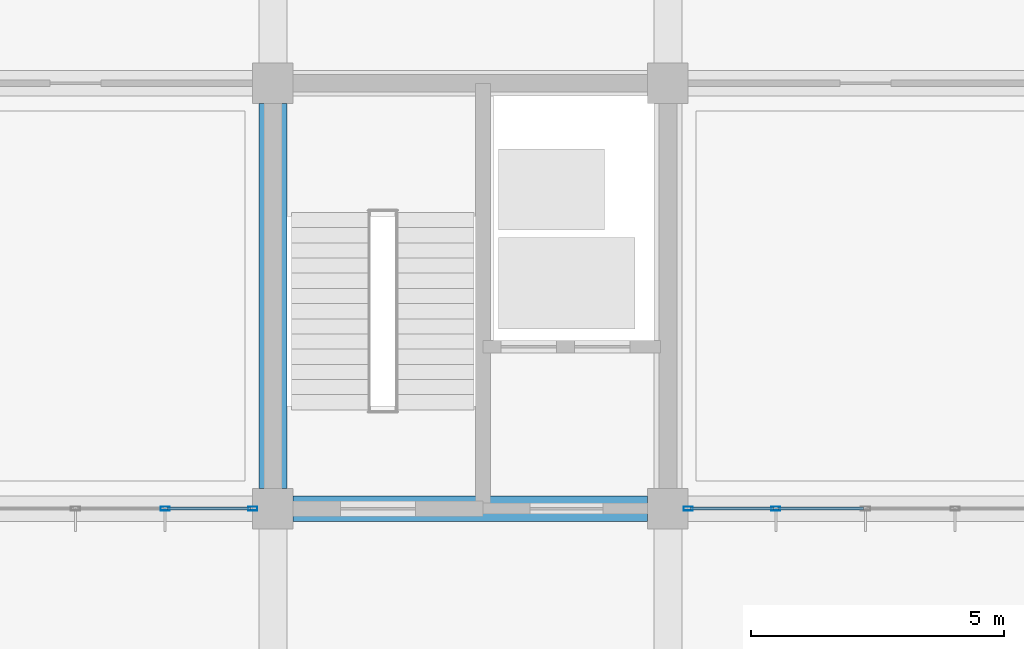
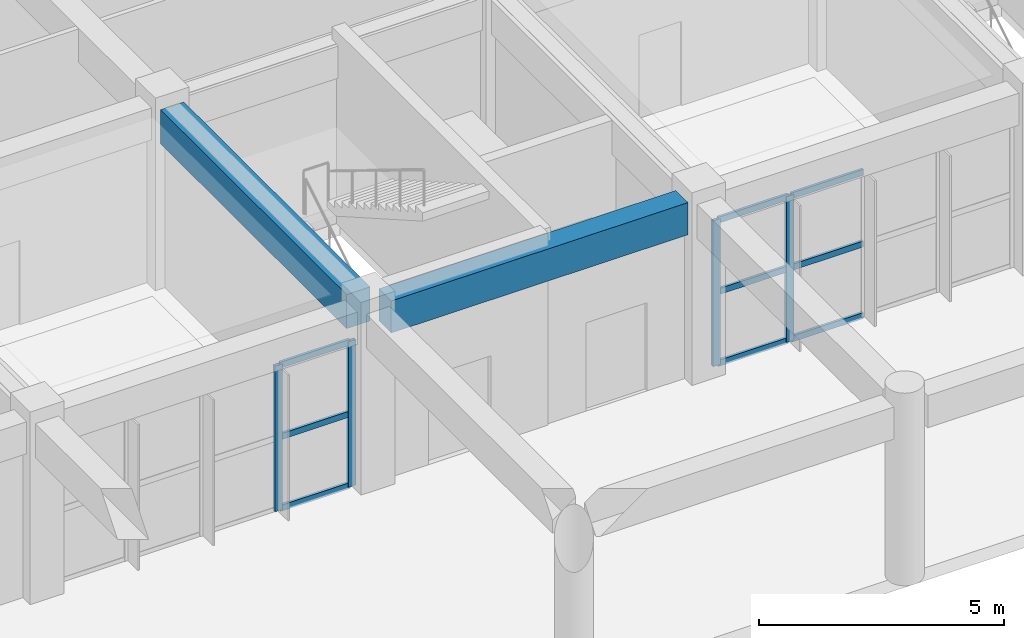
# One storey, part 15 of 139: 13 members, 2 beams, 2 elements without a shape of their own.
"""IFC4 building model written with IfcOpenShell, lengths in metres."""

import ifcopenshell
import ifcopenshell.guid

model = None  # the IFC model being written
_history = None  # IfcOwnerHistory: only IFC2X3 demands one
_inside = {}  # id of a spatial element -> (the spatial element, [elements in it])
_under = {}  # id of a project, library or spatial element -> (it, [spatial elements below it])
_declared = {}  # id of a project -> (the project, [libraries it declares])
_typed = {}  # id of a type object -> (the type object, [elements of that type])
_made_of = {}  # id of a material, layer set ... -> (it, [elements and type objects made of it])


def new_model(schema):
    """Start an empty IFC model of exactly this schema.

    Asked for "IFC4X3", IfcOpenShell would pick the latest addendum, in which some entities
    have other attributes; the version numbers below select the first issue.
    IFC2X3 requires an IfcOwnerHistory on every rooted entity: one is made here for all.
    """
    global model, _history
    if schema == "IFC4X3":
        model = ifcopenshell.file(schema_version=(4, 3, 0, 0))
    else:
        model = ifcopenshell.file(schema=schema)
    _inside.clear()
    _under.clear()
    _declared.clear()
    _typed.clear()
    _made_of.clear()
    _history = None
    if model.schema == "IFC2X3":
        org = make("IfcOrganization", Name="unknown")
        user = make(
            "IfcPersonAndOrganization",
            ThePerson=make("IfcPerson", FamilyName="unknown"),
            TheOrganization=org,
        )
        app = make(
            "IfcApplication",
            ApplicationDeveloper=org,
            Version="unknown",
            ApplicationFullName="unknown",
            ApplicationIdentifier="unknown",
        )
        _history = make(
            "IfcOwnerHistory",
            OwningUser=user,
            OwningApplication=app,
            ChangeAction="ADDED",
            CreationDate=0,
        )
    return model


def make(cls, **values):
    """One entity of the class cls with the attributes given. An attribute that is None is left unset."""
    return model.create_entity(
        cls, **{name: value for name, value in values.items() if value is not None}
    )


def rooted(cls, **values):
    """An entity with a GlobalId (a new one), such as an element, a storey or a relation."""
    return make(cls, GlobalId=ifcopenshell.guid.new(), OwnerHistory=_history, **values)


def si_unit(unit_type, name, prefix=None):
    """IfcSIUnit, for example si_unit("LENGTHUNIT", "METRE", prefix="MILLI")."""
    return make("IfcSIUnit", UnitType=unit_type, Prefix=prefix, Name=name)


def assignment(units):
    """IfcUnitAssignment: the units of a project."""
    return None if units is None else make("IfcUnitAssignment", Units=units)


def point(xyz):
    """IfcCartesianPoint."""
    return None if xyz is None else make("IfcCartesianPoint", Coordinates=xyz)


def direction(xyz):
    """IfcDirection."""
    return None if xyz is None else make("IfcDirection", DirectionRatios=xyz)


def frame(location, z_axis=None, x_axis=None):
    """IfcAxis2Placement3D, a coordinate frame: its origin and axes. An axis left out is left unset."""
    return make(
        "IfcAxis2Placement3D",
        Location=point(location),
        Axis=direction(z_axis),
        RefDirection=direction(x_axis),
    )


def frame_2d(location, x_axis=None):
    """IfcAxis2Placement2D, a coordinate frame in the plane: its origin and x axis."""
    return make(
        "IfcAxis2Placement2D", Location=point(location), RefDirection=direction(x_axis)
    )


def origin():
    """The frame at (0, 0, 0) with its axes left unset."""
    return frame((0.0, 0.0, 0.0))


def origin_2d():
    """The frame at (0, 0) in the plane with its x axis left unset."""
    return frame_2d((0.0, 0.0))


def place(relative_to, where):
    """IfcLocalPlacement: puts the frame where relative to a parent placement (None: the world)."""
    return make(
        "IfcLocalPlacement", PlacementRelTo=relative_to, RelativePlacement=where
    )


def context(
    kind, dimensions, precision=None, world=None, true_north=None, identifier=None
):
    """IfcGeometricRepresentationContext, for example the 3D "Model" context."""
    return make(
        "IfcGeometricRepresentationContext",
        ContextIdentifier=identifier,
        ContextType=kind,
        CoordinateSpaceDimension=dimensions,
        Precision=precision,
        WorldCoordinateSystem=world,
        TrueNorth=true_north,
    )


def subcontext(parent, identifier, kind, view, scale=None):
    """IfcGeometricRepresentationSubContext, for example "Body" below "Model"."""
    return make(
        "IfcGeometricRepresentationSubContext",
        ContextIdentifier=identifier,
        ContextType=kind,
        ParentContext=parent,
        TargetScale=scale,
        TargetView=view,
    )


def project(units=None, contexts=None):
    """IfcProject with its units and contexts."""
    return rooted(
        "IfcProject",
        Name="project",
        RepresentationContexts=contexts,
        UnitsInContext=assignment(units),
    )


def spatial(cls, under=None, at=None, **own):
    """A site, building, storey or space (cls), placed at a placement, below another one or the project."""
    s = rooted(cls, ObjectPlacement=at, **own)
    if under is not None:
        _under.setdefault(under.id(), (under, []))[1].append(s)
    return s


def profile(cls, at=None, kind="AREA", **sizes):
    """A parametric profile (cls). Its sizes go by their IFC names, for example OverallWidth=200.0."""
    return make(cls, ProfileType=kind, Position=at, **sizes)


def rectangle(**sizes):
    """IfcRectangleProfileDef."""
    return profile("IfcRectangleProfileDef", **sizes)


def hollow_rectangle(**sizes):
    """IfcRectangleHollowProfileDef."""
    return profile("IfcRectangleHollowProfileDef", **sizes)


def extrude(swept, where, along, depth):
    """IfcExtrudedAreaSolid: the profile swept, set in the frame where, extruded along a direction by depth."""
    return make(
        "IfcExtrudedAreaSolid",
        SweptArea=swept,
        Position=where,
        ExtrudedDirection=direction(along),
        Depth=depth,
    )


def shape(context_of_items, identifier, shape_type, items):
    """IfcShapeRepresentation: the items that make up one representation, for example the "Body"."""
    return make(
        "IfcShapeRepresentation",
        ContextOfItems=context_of_items,
        RepresentationIdentifier=identifier,
        RepresentationType=shape_type,
        Items=items,
    )


def material(Name=None, Category=None):
    """IfcMaterial."""
    return make("IfcMaterial", Name=Name, Category=Category)


def layer(
    of_material, thickness, ventilated=None, Name=None, Category=None, Priority=None
):
    """IfcMaterialLayer: one layer of a wall or slab, of a material (None: an air gap)."""
    return make(
        "IfcMaterialLayer",
        Material=of_material,
        LayerThickness=thickness,
        IsVentilated=ventilated,
        Name=Name,
        Category=Category,
        Priority=Priority,
    )


def layer_set(layers, Name=None):
    """IfcMaterialLayerSet."""
    return make("IfcMaterialLayerSet", MaterialLayers=layers, LayerSetName=Name)


def material_profile(
    of_material, cross_section, Name=None, Category=None, Priority=None
):
    """IfcMaterialProfile: a cross section and its material."""
    return make(
        "IfcMaterialProfile",
        Name=Name,
        Material=of_material,
        Profile=cross_section,
        Priority=Priority,
        Category=Category,
    )


def profile_set(profiles, Name=None, composite=None):
    """IfcMaterialProfileSet."""
    return make(
        "IfcMaterialProfileSet",
        Name=Name,
        MaterialProfiles=profiles,
        CompositeProfile=composite,
    )


def made_of(thing, what):
    """Note that an element or type object is made of a material, layer set ...; save() writes the relation."""
    if what is not None:
        _made_of.setdefault(what.id(), (what, []))[1].append(thing)
    return thing


def type_object(cls, material=None, **own):
    """A type object (cls), such as IfcWallType, which elements share."""
    return made_of(rooted(cls, **own), material)


def element(
    cls,
    number,
    at=None,
    inside=None,
    cuts=None,
    type_object=None,
    material=None,
    context=None,
    identifier="Body",
    shape_type=None,
    held_by="IfcProductDefinitionShape",
    body=None,
    shapes=None,
    **own,
):
    """One element of the class cls, such as IfcWall. Its Tag is "e" and its number.

    at: its placement. inside: the storey or other place that contains it. cuts: it is an
    opening in that element (IfcRelVoidsElement). A single representation is given by context,
    identifier, shape_type and body (its items); several are given by shapes. held_by: the class
    of the entity that holds the representations. save() writes the other relations.
    """
    e = rooted(cls, Tag="e%d" % number, ObjectPlacement=at, **own)
    if body is not None:
        shapes = [shape(context, identifier, shape_type, body)]
    if shapes is not None:
        e.Representation = make(held_by, Representations=shapes)
    if inside is not None:
        _inside.setdefault(inside.id(), (inside, []))[1].append(e)
    if cuts is not None:
        rooted(
            "IfcRelVoidsElement", RelatingBuildingElement=cuts, RelatedOpeningElement=e
        )
    if type_object is not None:
        _typed.setdefault(type_object.id(), (type_object, []))[1].append(e)
    return made_of(e, material)


def aggregate(whole, parts):
    """IfcRelAggregates: a whole, such as a stair, and the parts it consists of."""
    return rooted("IfcRelAggregates", RelatingObject=whole, RelatedObjects=parts)


def save(model, path):
    """Write the relations noted so far, then the file.

    IfcRelAggregates (storeys below a building ...), IfcRelContainedInSpatialStructure (elements
    in a storey), IfcRelDefinesByType, IfcRelAssociatesMaterial and IfcRelDeclares: one each for
    every whole, place, type object, material and project.
    """
    for whole, parts in _under.values():
        aggregate(whole, parts)
    for where, things in _inside.values():
        rooted(
            "IfcRelContainedInSpatialStructure",
            RelatedElements=things,
            RelatingStructure=where,
        )
    for kind, things in _typed.values():
        rooted("IfcRelDefinesByType", RelatedObjects=things, RelatingType=kind)
    for what, things in _made_of.values():
        rooted("IfcRelAssociatesMaterial", RelatedObjects=things, RelatingMaterial=what)
    for by, libraries in _declared.values():
        rooted("IfcRelDeclares", RelatingContext=by, RelatedDefinitions=libraries)
    model.write(path)


model = new_model("IFC4")

# Units and contexts
model_context = context("Model", 3, precision=1e-05, world=origin(), true_north=direction((0.0, 1.0)))
body_context = subcontext(model_context, "Body", "Model", "MODEL_VIEW")
ifc_project = project(units=[si_unit("LENGTHUNIT", "METRE"), si_unit("AREAUNIT", "SQUARE_METRE"), si_unit("VOLUMEUNIT", "CUBIC_METRE"), si_unit("PLANEANGLEUNIT", "RADIAN"), si_unit("MASSUNIT", "GRAM", prefix="KILO")], contexts=[model_context])

# Site, building, storey
site_placement = place(None, origin())
site = spatial("IfcSite", under=ifc_project, at=site_placement, CompositionType="ELEMENT")
building_placement = place(site_placement, origin())
building = spatial("IfcBuilding", under=site, at=building_placement, Name="Zizhar Promenade General Hospital", CompositionType="ELEMENT")
storey_placement = place(building_placement, origin())
storey = spatial("IfcBuildingStorey", under=building, at=storey_placement, Name="L00", CompositionType="ELEMENT", Elevation=0.0)

# Beams
ifc_material_1 = material(Name="Concrete C35/45", Category="concrete")
ifc_material_profile_1 = material_profile(ifc_material_1, rectangle(XDim=0.5, YDim=0.800048828125, at=origin_2d()))
ifc_profile_set_1 = profile_set([ifc_material_profile_1], Name="Concrete C35/45")
beam_type_1 = type_object("IfcBeamType", Name="BM-RC-500x800", PredefinedType="BEAM", material=ifc_profile_set_1)
beam_1_placement = place(storey_placement, frame((78.39990234375, 8.39990234375, 4.070068359375), z_axis=(1.0, 0.0, 0.0), x_axis=(0.0, 1.0, 0.0)))
element("IfcBeam", 1, at=beam_1_placement, inside=storey, type_object=beam_type_1, Name="Grid Beam X L00 (10-1)", PredefinedType="BEAM", context=body_context, shape_type="SweptSolid", body=[
    extrude(rectangle(XDim=0.5, YDim=0.800048828125, at=origin_2d()), origin(), (0.0, 0.0, 1.0), 7.0),
])
ifc_material_2 = material(Name="Concrete C35/45", Category="concrete")
ifc_material_profile_2 = material_profile(ifc_material_2, rectangle(XDim=0.550048828125, YDim=0.85009765625, at=origin_2d()))
ifc_profile_set_2 = profile_set([ifc_material_profile_2], Name="Concrete C35/45")
beam_type_2 = type_object("IfcBeamType", Name="BM-RC-550x850", PredefinedType="BEAM", material=ifc_profile_set_2)
beam_2_placement = place(storey_placement, frame((78.0, 8.800048828125, 4.044921875), z_axis=(0.0, 1.0, 0.0), x_axis=(-1.0, 0.0, 0.0)))
element("IfcBeam", 2, at=beam_2_placement, inside=storey, type_object=beam_type_2, Name="Grid Beam Y L00 (10-1)", PredefinedType="BEAM", context=body_context, shape_type="SweptSolid", body=[
    extrude(rectangle(XDim=0.550048828125, YDim=0.85009765625, at=origin_2d()), origin(), (0.0, 0.0, 1.0), 7.599853515625),
])

# Curtain wall, members
ifc_material_3 = material(Name="Anodised aluminium 6063-T6 and low-E glass", Category="aluminium")
ifc_layer = layer(ifc_material_3, 0.159912109375)
ifc_layer_set = layer_set([ifc_layer], Name="Anodised aluminium 6063-T6 and low-E glass")
curtain_wall_type = type_object("IfcCurtainWallType", Name="CW-HALL-S", PredefinedType="NOTDEFINED", material=ifc_layer_set)
curtain_wall_1_placement = place(storey_placement, origin())
curtain_wall_1 = element("IfcCurtainWall", 3, at=curtain_wall_1_placement, inside=storey, type_object=curtain_wall_type, Name="Promenade Colonnade Curtain Wall Bay 8", PredefinedType="NOTDEFINED")
ifc_material_4 = material(Name="Anodised aluminium 6063-T6", Category="aluminium")
ifc_material_profile_3 = material_profile(ifc_material_4, hollow_rectangle(XDim=0.080078125, YDim=0.179931640625, WallThickness=0.0048828125, at=origin_2d()))
ifc_profile_set_3 = profile_set([ifc_material_profile_3], Name="Anodised aluminium 6063-T6")
member_type_1 = type_object("IfcMemberType", Name="CWM-ALU-180x80", PredefinedType="MULLION", material=ifc_profile_set_3)
member_1_placement = place(storey_placement, frame((77.60009765625, 8.39990234375, 0.0), z_axis=(0.0, 0.0, 1.0), x_axis=(0.0, -1.0, 0.0)))
member_1 = element("IfcMember", 4, at=member_1_placement, type_object=member_type_1, Name="CW-01 mullion 1", PredefinedType="MULLION", context=body_context, shape_type="SweptSolid", body=[
    extrude(hollow_rectangle(XDim=0.080078125, YDim=0.179931640625, WallThickness=0.0048828125, at=origin_2d()), origin(), (0.0, 0.0, 1.0), 3.6298828125),
])
member_2_placement = place(storey_placement, frame((75.8701171875, 8.39990234375, 0.0), z_axis=(0.0, 0.0, 1.0), x_axis=(0.0, -1.0, 0.0)))
member_2 = element("IfcMember", 5, at=member_2_placement, type_object=member_type_1, Name="CW-01 mullion 2", PredefinedType="MULLION", context=body_context, shape_type="SweptSolid", body=[
    extrude(hollow_rectangle(XDim=0.080078125, YDim=0.179931640625, WallThickness=0.0048828125, at=origin_2d()), origin(), (0.0, 0.0, 1.0), 3.6298828125),
])

curtain_wall_2_placement = place(storey_placement, origin())
curtain_wall_2 = element("IfcCurtainWall", 6, at=curtain_wall_2_placement, inside=storey, type_object=curtain_wall_type, Name="Promenade Colonnade Curtain Wall Bay 10", PredefinedType="NOTDEFINED")
member_3_placement = place(storey_placement, frame((87.929931640625, 8.39990234375, 0.0), z_axis=(0.0, 0.0, 1.0), x_axis=(0.0, -1.0, 0.0)))
member_3 = element("IfcMember", 7, at=member_3_placement, type_object=member_type_1, Name="CW-01 mullion 4", PredefinedType="MULLION", context=body_context, shape_type="SweptSolid", body=[
    extrude(hollow_rectangle(XDim=0.080078125, YDim=0.179931640625, WallThickness=0.0048828125, at=origin_2d()), origin(), (0.0, 0.0, 1.0), 3.6298828125),
])
member_4_placement = place(storey_placement, frame((86.199951171875, 8.39990234375, 0.0), z_axis=(0.0, 0.0, 1.0), x_axis=(0.0, -1.0, 0.0)))
member_4 = element("IfcMember", 8, at=member_4_placement, type_object=member_type_1, Name="CW-01 mullion 5", PredefinedType="MULLION", context=body_context, shape_type="SweptSolid", body=[
    extrude(hollow_rectangle(XDim=0.080078125, YDim=0.179931640625, WallThickness=0.0048828125, at=origin_2d()), origin(), (0.0, 0.0, 1.0), 3.6298828125),
])

# Member
ifc_material_5 = material(Name="Anodised aluminium 6063-T6", Category="aluminium")
ifc_material_profile_4 = material_profile(ifc_material_5, hollow_rectangle(XDim=0.06005859375, YDim=0.14990234375, WallThickness=0.00390625, at=origin_2d()))
ifc_profile_set_4 = profile_set([ifc_material_profile_4], Name="Anodised aluminium 6063-T6")
member_type_2 = type_object("IfcMemberType", Name="CWT-ALU-150x60", PredefinedType="USERDEFINED", material=ifc_profile_set_4)
member_5_placement = place(storey_placement, frame((77.56005859375, 8.39990234375, 0.030029296875), z_axis=(-1.0, 0.0, 0.0), x_axis=(0.0, -1.0, 0.0)))
member_5 = element("IfcMember", 9, at=member_5_placement, type_object=member_type_2, Name="CW-01 transom 1.1", ObjectType="TRANSOM", PredefinedType="USERDEFINED", context=body_context, shape_type="SweptSolid", body=[
    extrude(hollow_rectangle(XDim=0.06005859375, YDim=0.14990234375, WallThickness=0.00390625, at=origin_2d()), origin(), (0.0, 0.0, 1.0), 1.650146484375),
])

member_6_placement = place(storey_placement, frame((77.56005859375, 8.39990234375, 1.81494140625), z_axis=(-1.0, 0.0, 0.0), x_axis=(0.0, -1.0, 0.0)))
member_6 = element("IfcMember", 10, at=member_6_placement, type_object=member_type_2, Name="CW-01 transom 1.2", ObjectType="TRANSOM", PredefinedType="USERDEFINED", context=body_context, shape_type="SweptSolid", body=[
    extrude(hollow_rectangle(XDim=0.06005859375, YDim=0.14990234375, WallThickness=0.00390625, at=origin_2d()), origin(), (0.0, 0.0, 1.0), 1.650146484375),
])

member_7_placement = place(storey_placement, frame((77.56005859375, 8.39990234375, 3.60009765625), z_axis=(-1.0, 0.0, 0.0), x_axis=(0.0, -1.0, 0.0)))
member_7 = element("IfcMember", 11, at=member_7_placement, type_object=member_type_2, Name="CW-01 transom 1.3", ObjectType="TRANSOM", PredefinedType="USERDEFINED", context=body_context, shape_type="SweptSolid", body=[
    extrude(hollow_rectangle(XDim=0.06005859375, YDim=0.14990234375, WallThickness=0.00390625, at=origin_2d()), origin(), (0.0, 0.0, 1.0), 1.650146484375),
])

aggregate(curtain_wall_1, [member_1, member_2, member_5, member_6, member_7])

member_8_placement = place(storey_placement, frame((89.659912109375, 8.39990234375, 0.030029296875), z_axis=(-1.0, 0.0, 0.0), x_axis=(0.0, -1.0, 0.0)))
member_8 = element("IfcMember", 12, at=member_8_placement, type_object=member_type_2, Name="CW-01 transom 3.1", ObjectType="TRANSOM", PredefinedType="USERDEFINED", context=body_context, shape_type="SweptSolid", body=[
    extrude(hollow_rectangle(XDim=0.06005859375, YDim=0.14990234375, WallThickness=0.00390625, at=origin_2d()), origin(), (0.0, 0.0, 1.0), 1.68994140625),
])

member_9_placement = place(storey_placement, frame((89.659912109375, 8.39990234375, 1.81494140625), z_axis=(-1.0, 0.0, 0.0), x_axis=(0.0, -1.0, 0.0)))
member_9 = element("IfcMember", 13, at=member_9_placement, type_object=member_type_2, Name="CW-01 transom 3.2", ObjectType="TRANSOM", PredefinedType="USERDEFINED", context=body_context, shape_type="SweptSolid", body=[
    extrude(hollow_rectangle(XDim=0.06005859375, YDim=0.14990234375, WallThickness=0.00390625, at=origin_2d()), origin(), (0.0, 0.0, 1.0), 1.68994140625),
])

member_10_placement = place(storey_placement, frame((89.659912109375, 8.39990234375, 3.60009765625), z_axis=(-1.0, 0.0, 0.0), x_axis=(0.0, -1.0, 0.0)))
member_10 = element("IfcMember", 14, at=member_10_placement, type_object=member_type_2, Name="CW-01 transom 3.3", ObjectType="TRANSOM", PredefinedType="USERDEFINED", context=body_context, shape_type="SweptSolid", body=[
    extrude(hollow_rectangle(XDim=0.06005859375, YDim=0.14990234375, WallThickness=0.00390625, at=origin_2d()), origin(), (0.0, 0.0, 1.0), 1.68994140625),
])

member_11_placement = place(storey_placement, frame((87.889892578125, 8.39990234375, 0.030029296875), z_axis=(-1.0, 0.0, 0.0), x_axis=(0.0, -1.0, 0.0)))
member_11 = element("IfcMember", 15, at=member_11_placement, type_object=member_type_2, Name="CW-01 transom 4.1", ObjectType="TRANSOM", PredefinedType="USERDEFINED", context=body_context, shape_type="SweptSolid", body=[
    extrude(hollow_rectangle(XDim=0.06005859375, YDim=0.14990234375, WallThickness=0.00390625, at=origin_2d()), origin(), (0.0, 0.0, 1.0), 1.64990234375),
])

member_12_placement = place(storey_placement, frame((87.889892578125, 8.39990234375, 1.81494140625), z_axis=(-1.0, 0.0, 0.0), x_axis=(0.0, -1.0, 0.0)))
member_12 = element("IfcMember", 16, at=member_12_placement, type_object=member_type_2, Name="CW-01 transom 4.2", ObjectType="TRANSOM", PredefinedType="USERDEFINED", context=body_context, shape_type="SweptSolid", body=[
    extrude(hollow_rectangle(XDim=0.06005859375, YDim=0.14990234375, WallThickness=0.00390625, at=origin_2d()), origin(), (0.0, 0.0, 1.0), 1.64990234375),
])

member_13_placement = place(storey_placement, frame((87.889892578125, 8.39990234375, 3.60009765625), z_axis=(-1.0, 0.0, 0.0), x_axis=(0.0, -1.0, 0.0)))
member_13 = element("IfcMember", 17, at=member_13_placement, type_object=member_type_2, Name="CW-01 transom 4.3", ObjectType="TRANSOM", PredefinedType="USERDEFINED", context=body_context, shape_type="SweptSolid", body=[
    extrude(hollow_rectangle(XDim=0.06005859375, YDim=0.14990234375, WallThickness=0.00390625, at=origin_2d()), origin(), (0.0, 0.0, 1.0), 1.64990234375),
])

aggregate(curtain_wall_2, [member_3, member_4, member_8, member_9, member_10, member_11, member_12, member_13])

save(model, "model.ifc")
